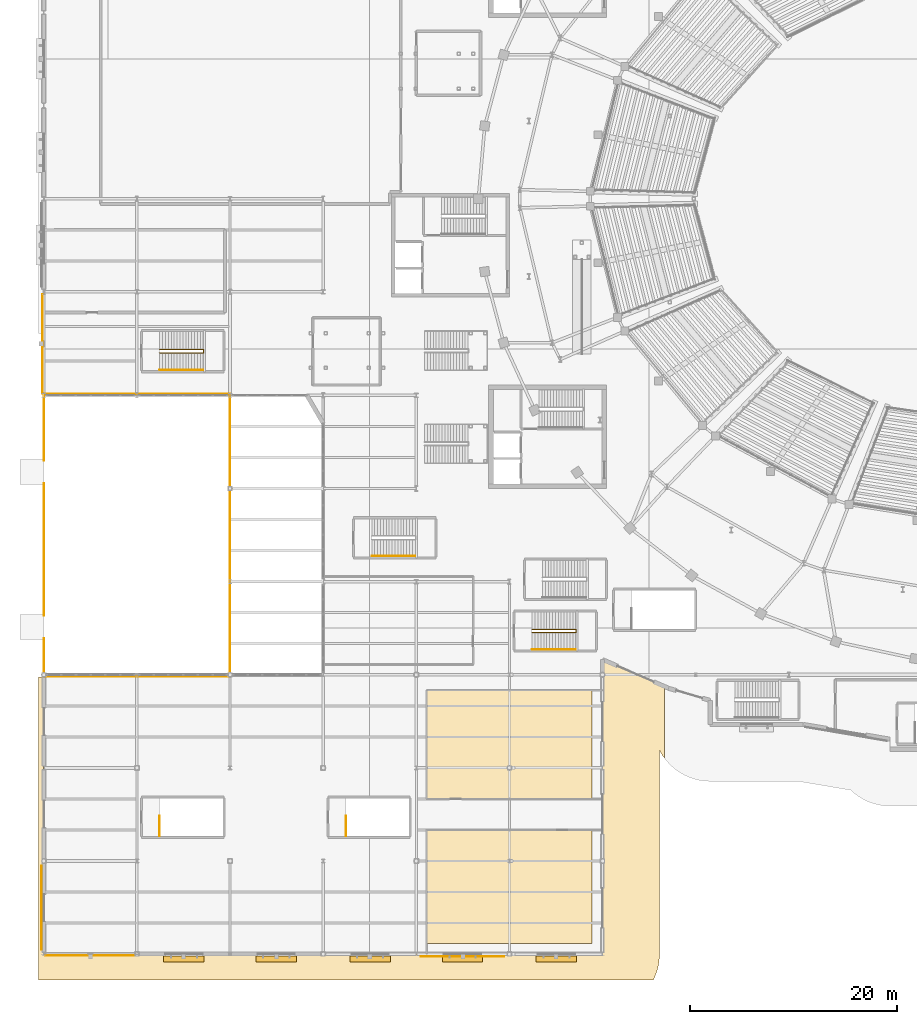
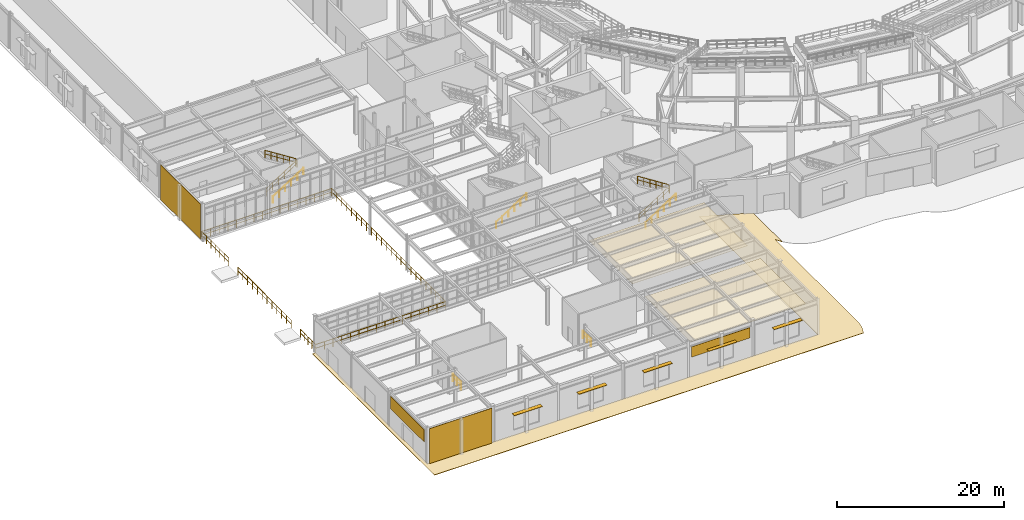
# One storey, part 70 of 79: 13 railings, 7 coverings, 5 shading devices.
"""IFC4 building model written with IfcOpenShell, lengths in metres."""

from ifc_helpers import new_model, si_unit, direction, frame, origin, origin_2d, place, context, subcontext, project, spatial, polyline, rectangle, circle, outline, extrude, material, layer, layer_set, type_object, element, save


model = new_model("IFC4")

# Units and contexts
model_context = context("Model", 3, precision=1e-05, world=origin(), true_north=direction((0.0, 1.0)))
body_context = subcontext(model_context, "Body", "Model", "MODEL_VIEW")
ifc_project = project(units=[si_unit("LENGTHUNIT", "METRE"), si_unit("AREAUNIT", "SQUARE_METRE"), si_unit("VOLUMEUNIT", "CUBIC_METRE"), si_unit("PLANEANGLEUNIT", "RADIAN"), si_unit("MASSUNIT", "GRAM", prefix="KILO")], contexts=[model_context])

# Site, building, storey
site_placement = place(None, origin())
site = spatial("IfcSite", under=ifc_project, at=site_placement, CompositionType="ELEMENT")
building_placement = place(site_placement, origin())
building = spatial("IfcBuilding", under=site, at=building_placement, Name="Glasvene Arena", CompositionType="ELEMENT")
storey_placement = place(building_placement, origin())
storey = spatial("IfcBuildingStorey", under=building, at=storey_placement, Name="L00", CompositionType="ELEMENT", Elevation=0.0)

# Coverings
ifc_material_1 = material(Name="Perforated acoustic mineral ceiling tile")
ifc_layer_1 = layer(ifc_material_1, 0.0400390625)
ifc_layer_set_1 = layer_set([ifc_layer_1], Name="Perforated acoustic mineral ceiling tile")
covering_type_1 = type_object("IfcCoveringType", Name="COV-CEIL-AC", PredefinedType="CEILING", material=ifc_layer_set_1)
covering_1_placement = place(storey_placement, frame((45.0, 6.5, 4.179931640625)))
element("IfcCovering", 1, at=covering_1_placement, inside=storey, type_object=covering_type_1, Name="Acoustic suspended ceiling Civic Ticketing Hall", PredefinedType="CEILING", context=body_context, shape_type="SweptSolid", body=[
    extrude(outline(polyline([(7.97998046875, 5.47998046875), (7.97998046875, -5.47998046875), (-7.97998046875, -5.47998046875), (-7.97998046875, 5.47998046875), (7.97998046875, 5.47998046875)])), origin(), (0.0, 0.0, 1.0), 0.0400390625),
])
covering_2_placement = place(storey_placement, frame((45.0, 20.25, 4.179931640625)))
element("IfcCovering", 2, at=covering_2_placement, inside=storey, type_object=covering_type_1, Name="Acoustic suspended ceiling Arena Venue Shop", PredefinedType="CEILING", context=body_context, shape_type="SweptSolid", body=[
    extrude(outline(polyline([(7.97998046875, 5.22998046875), (7.97998046875, -5.22998046875), (-7.97998046875, -5.22998046875), (-7.97998046875, 5.22998046875), (7.97998046875, 5.22998046875)])), origin(), (0.0, 0.0, 1.0), 0.0400390625),
])
ifc_material_2 = material(Name="Coursed pale Irish limestone", Category="masonry")
ifc_layer_2 = layer(ifc_material_2, 0.050048828125)
ifc_layer_set_2 = layer_set([ifc_layer_2], Name="Coursed pale Irish limestone")
covering_type_2 = type_object("IfcCoveringType", Name="COV-CLAD-LIM", PredefinedType="CLADDING", material=ifc_layer_set_2)
covering_3_placement = place(storey_placement, frame((-0.139892578125, 58.967041015625, 0.0), z_axis=(0.0, 0.0, 1.0), x_axis=(0.0, 1.0, 0.0)))
element("IfcCovering", 3, at=covering_3_placement, inside=storey, type_object=covering_type_2, Name="Braced bay architectural cladding screen L00-004", PredefinedType="CLADDING", context=body_context, shape_type="SweptSolid", body=[
    extrude(rectangle(XDim=9.601806640625, YDim=0.050048828125, at=origin_2d()), origin(), (0.0, 0.0, 1.0), 5.1201171875),
])
covering_4_placement = place(storey_placement, frame((40.462890625, -0.219970703125, 2.949951171875), z_axis=(0.0, 0.0, 1.0), x_axis=(-1.0, 0.0, 0.0)))
element("IfcCovering", 4, at=covering_4_placement, inside=storey, type_object=covering_type_2, Name="Irish limestone spandrel cladding EW-L00-0059", PredefinedType="CLADDING", context=body_context, shape_type="SweptSolid", body=[
    extrude(rectangle(XDim=8.11279296875, YDim=0.050048828125, at=origin_2d()), origin(), (0.0, 0.0, 1.0), 1.50732421875),
])
covering_5_placement = place(storey_placement, frame((4.462890625, -0.139892578125, 0.0), z_axis=(0.0, 0.0, 1.0), x_axis=(-1.0, 0.0, 0.0)))
element("IfcCovering", 5, at=covering_5_placement, inside=storey, type_object=covering_type_2, Name="Braced bay architectural cladding screen L00-074", PredefinedType="CLADDING", context=body_context, shape_type="SweptSolid", body=[
    extrude(rectangle(XDim=8.65283203125, YDim=0.050048828125, at=origin_2d()), origin(), (0.0, 0.0, 1.0), 5.1201171875),
])
covering_6_placement = place(storey_placement, frame((-0.219970703125, 4.4658203125, 2.949951171875), z_axis=(0.0, 0.0, 1.0), x_axis=(0.0, 1.0, 0.0)))
element("IfcCovering", 6, at=covering_6_placement, inside=storey, type_object=covering_type_2, Name="Irish limestone spandrel cladding EW-L00-0063", PredefinedType="CLADDING", context=body_context, shape_type="SweptSolid", body=[
    extrude(rectangle(XDim=8.107177734375, YDim=0.050048828125, at=origin_2d()), origin(), (0.0, 0.0, 1.0), 1.81494140625),
])
ifc_material_3 = material(Name="Irish silver-grey granite paving", Category="masonry")
ifc_layer_3 = layer(ifc_material_3, 0.06005859375)
ifc_layer_set_3 = layer_set([ifc_layer_3], Name="Irish silver-grey granite paving")
covering_type_3 = type_object("IfcCoveringType", Name="COV-PLAZA-GRAN", PredefinedType="FLOORING", material=ifc_layer_set_3)
covering_7_placement = place(storey_placement, frame((44.79248046875, 10.290771484375, -0.06005859375)))
element("IfcCovering", 7, at=covering_7_placement, inside=storey, type_object=covering_type_3, Name="Perimeter granite street plaza paving 01", PredefinedType="FLOORING", context=body_context, shape_type="SweptSolid", body=[
    extrude(outline(polyline([(15.034423828125, 8.853515625), (14.7568359375, 9.316650390625), (14.70751953125, 9.421142578125), (14.70751953125, -10.290771484375), (14.680908203125, -10.829833984375), (14.601806640625, -11.36376953125), (14.470703125, -11.887451171875), (14.288818359375, -12.3955078125), (14.101806640625, -12.790771484375), (-45.29248046875, -12.790771484375), (-45.29248046875, 16.50927734375), (-44.802490234375, 16.50927734375), (-44.802490234375, -10.290771484375), (9.20751953125, -10.30078125), (9.217529296875, 18.153564453125), (15.20751953125, 15.555908203125), (15.20751953125, 8.6201171875), (15.034423828125, 8.853515625)])), origin(), (0.0, 0.0, 1.0), 0.06005859375),
])

# Railings
ifc_material_4 = material(Name="Brushed stainless steel", Category="steel")
railing_type_1 = type_object("IfcRailingType", Name="RL-GUARD-1100", PredefinedType="GUARDRAIL", material=ifc_material_4)
railing_1_placement = place(storey_placement, frame((11.199951171875, 58.110107421875, 0.0)))
element("IfcRailing", 8, at=railing_1_placement, inside=storey, type_object=railing_type_1, Name="Stair inner well continuous guardrail ST-13-L00", PredefinedType="GUARDRAIL", context=body_context, shape_type="SweptSolid", body=[
    extrude(circle(Radius=0.02392578125, at=origin_2d()), frame((0.0, 0.0, 1.076171875), z_axis=(0.843501457581, 0.0, 0.537126885437), x_axis=(0.0, 1.0, 0.0)), (0.0, 0.0, 1.0), 5.026611328125),
    extrude(circle(Radius=0.01611328125, at=origin_2d()), frame((0.0, 0.0, 0.550048828125), z_axis=(0.843501457581, 0.0, 0.537126885437), x_axis=(0.0, 1.0, 0.0)), (0.0, 0.0, 1.0), 5.026611328125),
    extrude(circle(Radius=0.02392578125, at=origin_2d()), frame((4.239990234375, 0.0, 3.77587890625), z_axis=(0.0, 1.0, 0.0), x_axis=(-1.0, 0.0, 0.0)), (0.0, 0.0, 1.0), 0.329833984375),
    extrude(circle(Radius=0.01611328125, at=origin_2d()), frame((4.239990234375, 0.0, 3.25), z_axis=(0.0, 1.0, 0.0), x_axis=(-1.0, 0.0, 0.0)), (0.0, 0.0, 1.0), 0.329833984375),
    extrude(circle(Radius=0.02392578125, at=origin_2d()), frame((4.239990234375, 0.329833984375, 3.77587890625), z_axis=(-0.843501457581, 0.0, 0.537126885437), x_axis=(0.0, -1.0, 0.0)), (0.0, 0.0, 1.0), 5.026611328125),
    extrude(circle(Radius=0.01611328125, at=origin_2d()), frame((4.239990234375, 0.329833984375, 3.25), z_axis=(-0.843501457581, 0.0, 0.537126885437), x_axis=(0.0, -1.0, 0.0)), (0.0, 0.0, 1.0), 5.026611328125),
    extrude(circle(Radius=0.02099609375, at=origin_2d()), origin(), (0.0, 0.0, 1.0), 1.052001953125),
    extrude(circle(Radius=0.02099609375, at=origin_2d()), frame((0.847900390625, 0.0, 0.5400390625)), (0.0, 0.0, 1.0), 1.052001953125),
    extrude(circle(Radius=0.02099609375, at=origin_2d()), frame((1.696044921875, 0.0, 1.080078125)), (0.0, 0.0, 1.0), 1.052001953125),
    extrude(circle(Radius=0.02099609375, at=origin_2d()), frame((2.5439453125, 0.0, 1.619873046875)), (0.0, 0.0, 1.0), 1.052001953125),
    extrude(circle(Radius=0.02099609375, at=origin_2d()), frame((3.39208984375, 0.0, 2.159912109375)), (0.0, 0.0, 1.0), 1.052001953125),
    extrude(circle(Radius=0.02099609375, at=origin_2d()), frame((4.239990234375, 0.0, 2.699951171875)), (0.0, 0.0, 1.0), 1.052001953125),
    extrude(circle(Radius=0.02099609375, at=origin_2d()), frame((4.239990234375, 0.329833984375, 2.699951171875)), (0.0, 0.0, 1.0), 1.052001953125),
    extrude(circle(Radius=0.02099609375, at=origin_2d()), frame((3.39208984375, 0.329833984375, 3.239990234375)), (0.0, 0.0, 1.0), 1.052001953125),
    extrude(circle(Radius=0.02099609375, at=origin_2d()), frame((2.5439453125, 0.329833984375, 3.780029296875)), (0.0, 0.0, 1.0), 1.052001953125),
    extrude(circle(Radius=0.02099609375, at=origin_2d()), frame((1.696044921875, 0.329833984375, 4.31982421875)), (0.0, 0.0, 1.0), 1.052001953125),
    extrude(circle(Radius=0.02099609375, at=origin_2d()), frame((0.847900390625, 0.329833984375, 4.85986328125)), (0.0, 0.0, 1.0), 1.052001953125),
    extrude(circle(Radius=0.02099609375, at=origin_2d()), frame((0.0, 0.329833984375, 5.39990234375)), (0.0, 0.0, 1.0), 1.052001953125),
])
railing_2_placement = place(storey_placement, frame((47.199951171875, 31.06005859375, 0.0)))
element("IfcRailing", 9, at=railing_2_placement, inside=storey, type_object=railing_type_1, Name="Stair inner well continuous guardrail ST-16-L00", PredefinedType="GUARDRAIL", context=body_context, shape_type="SweptSolid", body=[
    extrude(circle(Radius=0.02392578125, at=origin_2d()), frame((0.0, 0.0, 1.076171875), z_axis=(0.843501457581, 0.0, 0.537126885437), x_axis=(0.0, 1.0, 0.0)), (0.0, 0.0, 1.0), 5.026611328125),
    extrude(circle(Radius=0.01611328125, at=origin_2d()), frame((0.0, 0.0, 0.550048828125), z_axis=(0.843501457581, 0.0, 0.537126885437), x_axis=(0.0, 1.0, 0.0)), (0.0, 0.0, 1.0), 5.026611328125),
    extrude(circle(Radius=0.02392578125, at=origin_2d()), frame((4.239990234375, 0.0, 3.77587890625), z_axis=(0.0, 1.0, 0.0), x_axis=(-1.0, 0.0, 0.0)), (0.0, 0.0, 1.0), 0.329833984375),
    extrude(circle(Radius=0.01611328125, at=origin_2d()), frame((4.239990234375, 0.0, 3.25), z_axis=(0.0, 1.0, 0.0), x_axis=(-1.0, 0.0, 0.0)), (0.0, 0.0, 1.0), 0.329833984375),
    extrude(circle(Radius=0.02392578125, at=origin_2d()), frame((4.239990234375, 0.329833984375, 3.77587890625), z_axis=(-0.843501457581, 0.0, 0.537126885437), x_axis=(0.0, -1.0, 0.0)), (0.0, 0.0, 1.0), 5.026611328125),
    extrude(circle(Radius=0.01611328125, at=origin_2d()), frame((4.239990234375, 0.329833984375, 3.25), z_axis=(-0.843501457581, 0.0, 0.537126885437), x_axis=(0.0, -1.0, 0.0)), (0.0, 0.0, 1.0), 5.026611328125),
    extrude(circle(Radius=0.02099609375, at=origin_2d()), origin(), (0.0, 0.0, 1.0), 1.052001953125),
    extrude(circle(Radius=0.02099609375, at=origin_2d()), frame((0.847900390625, 0.0, 0.5400390625)), (0.0, 0.0, 1.0), 1.052001953125),
    extrude(circle(Radius=0.02099609375, at=origin_2d()), frame((1.696044921875, 0.0, 1.080078125)), (0.0, 0.0, 1.0), 1.052001953125),
    extrude(circle(Radius=0.02099609375, at=origin_2d()), frame((2.5439453125, 0.0, 1.619873046875)), (0.0, 0.0, 1.0), 1.052001953125),
    extrude(circle(Radius=0.02099609375, at=origin_2d()), frame((3.39208984375, 0.0, 2.159912109375)), (0.0, 0.0, 1.0), 1.052001953125),
    extrude(circle(Radius=0.02099609375, at=origin_2d()), frame((4.239990234375, 0.0, 2.699951171875)), (0.0, 0.0, 1.0), 1.052001953125),
    extrude(circle(Radius=0.02099609375, at=origin_2d()), frame((4.239990234375, 0.329833984375, 2.699951171875)), (0.0, 0.0, 1.0), 1.052001953125),
    extrude(circle(Radius=0.02099609375, at=origin_2d()), frame((3.39208984375, 0.329833984375, 3.239990234375)), (0.0, 0.0, 1.0), 1.052001953125),
    extrude(circle(Radius=0.02099609375, at=origin_2d()), frame((2.5439453125, 0.329833984375, 3.780029296875)), (0.0, 0.0, 1.0), 1.052001953125),
    extrude(circle(Radius=0.02099609375, at=origin_2d()), frame((1.696044921875, 0.329833984375, 4.31982421875)), (0.0, 0.0, 1.0), 1.052001953125),
    extrude(circle(Radius=0.02099609375, at=origin_2d()), frame((0.847900390625, 0.329833984375, 4.85986328125)), (0.0, 0.0, 1.0), 1.052001953125),
    extrude(circle(Radius=0.02099609375, at=origin_2d()), frame((0.0, 0.329833984375, 5.39990234375)), (0.0, 0.0, 1.0), 1.052001953125),
])
for number, where, name in (
    (10, (11.199951171875, 11.39990234375, 0.0), "Stair top landing well guard ST-B02"),
    (11, (29.199951171875, 11.39990234375, 0.0), "Stair top landing well guard ST-B03"),
):
    element("IfcRailing", number, at=place(storey_placement, frame(where)), inside=storey, type_object=railing_type_1, Name=name, PredefinedType="GUARDRAIL", context=body_context, shape_type="SweptSolid", body=[
        extrude(circle(Radius=0.02392578125, at=origin_2d()), frame((0.0, 0.0, 1.076171875), z_axis=(0.0, 1.0, 0.0), x_axis=(-1.0, 0.0, 0.0)), (0.0, 0.0, 1.0), 1.9501953125),
        extrude(circle(Radius=0.01611328125, at=origin_2d()), frame((0.0, 0.0, 0.550048828125), z_axis=(0.0, 1.0, 0.0), x_axis=(-1.0, 0.0, 0.0)), (0.0, 0.0, 1.0), 1.9501953125),
        extrude(circle(Radius=0.02099609375, at=origin_2d()), origin(), (0.0, 0.0, 1.0), 1.052001953125),
        extrude(circle(Radius=0.02099609375, at=origin_2d()), frame((0.0, 0.97509765625, 0.0)), (0.0, 0.0, 1.0), 1.052001953125),
        extrude(circle(Radius=0.02099609375, at=origin_2d()), frame((0.0, 1.9501953125, 0.0)), (0.0, 0.0, 1.0), 1.052001953125),
    ])
ifc_material_5 = material(Name="Warm bronze architectural aluminium", Category="aluminium")
railing_type_2 = type_object("IfcRailingType", Name="RL-GUARD-EXT-1150", PredefinedType="GUARDRAIL", material=ifc_material_5)
railing_3_placement = place(storey_placement, frame((18.0, 26.85009765625, 0.0)))
element("IfcRailing", 12, at=railing_3_placement, inside=storey, type_object=railing_type_2, Name="Safety guardrail GD-MET-RIM-A-001", PredefinedType="GUARDRAIL", context=body_context, shape_type="SweptSolid", body=[
    extrude(circle(Radius=0.02392578125, at=origin_2d()), frame((0.0, 0.0, 1.1259765625), z_axis=(-1.0, 0.0, 0.0), x_axis=(0.0, -1.0, 0.0)), (0.0, 0.0, 1.0), 18.0),
    extrude(circle(Radius=0.01611328125, at=origin_2d()), frame((0.0, 0.0, 0.574951171875), z_axis=(-1.0, 0.0, 0.0), x_axis=(0.0, -1.0, 0.0)), (0.0, 0.0, 1.0), 18.0),
    extrude(circle(Radius=0.02099609375, at=origin_2d()), origin(), (0.0, 0.0, 1.0), 1.101806640625),
    extrude(circle(Radius=0.02099609375, at=origin_2d()), frame((-1.199951171875, 0.0, 0.0)), (0.0, 0.0, 1.0), 1.101806640625),
    extrude(circle(Radius=0.02099609375, at=origin_2d()), frame((-2.39990234375, 0.0, 0.0)), (0.0, 0.0, 1.0), 1.101806640625),
    extrude(circle(Radius=0.02099609375, at=origin_2d()), frame((-3.60009765625, 0.0, 0.0)), (0.0, 0.0, 1.0), 1.101806640625),
    extrude(circle(Radius=0.02099609375, at=origin_2d()), frame((-4.800048828125, 0.0, 0.0)), (0.0, 0.0, 1.0), 1.101806640625),
    extrude(circle(Radius=0.02099609375, at=origin_2d()), frame((-6.0, 0.0, 0.0)), (0.0, 0.0, 1.0), 1.101806640625),
    extrude(circle(Radius=0.02099609375, at=origin_2d()), frame((-7.199951171875, 0.0, 0.0)), (0.0, 0.0, 1.0), 1.101806640625),
    extrude(circle(Radius=0.02099609375, at=origin_2d()), frame((-8.39990234375, 0.0, 0.0)), (0.0, 0.0, 1.0), 1.101806640625),
    extrude(circle(Radius=0.02099609375, at=origin_2d()), frame((-9.60009765625, 0.0, 0.0)), (0.0, 0.0, 1.0), 1.101806640625),
    extrude(circle(Radius=0.02099609375, at=origin_2d()), frame((-10.800048828125, 0.0, 0.0)), (0.0, 0.0, 1.0), 1.101806640625),
    extrude(circle(Radius=0.02099609375, at=origin_2d()), frame((-12.0, 0.0, 0.0)), (0.0, 0.0, 1.0), 1.101806640625),
    extrude(circle(Radius=0.02099609375, at=origin_2d()), frame((-13.199951171875, 0.0, 0.0)), (0.0, 0.0, 1.0), 1.101806640625),
    extrude(circle(Radius=0.02099609375, at=origin_2d()), frame((-14.39990234375, 0.0, 0.0)), (0.0, 0.0, 1.0), 1.101806640625),
    extrude(circle(Radius=0.02099609375, at=origin_2d()), frame((-15.60009765625, 0.0, 0.0)), (0.0, 0.0, 1.0), 1.101806640625),
    extrude(circle(Radius=0.02099609375, at=origin_2d()), frame((-16.800048828125, 0.0, 0.0)), (0.0, 0.0, 1.0), 1.101806640625),
    extrude(circle(Radius=0.02099609375, at=origin_2d()), frame((-18.0, 0.0, 0.0)), (0.0, 0.0, 1.0), 1.101806640625),
])
railing_4_placement = place(storey_placement, frame((0.0, 26.85009765625, 0.0)))
element("IfcRailing", 13, at=railing_4_placement, inside=storey, type_object=railing_type_2, Name="Safety guardrail GD-MET-RIM-A-002", PredefinedType="GUARDRAIL", context=body_context, shape_type="SweptSolid", body=[
    extrude(circle(Radius=0.02392578125, at=origin_2d()), frame((0.0, 0.0, 1.1259765625), z_axis=(0.0, 1.0, 0.0), x_axis=(-1.0, 0.0, 0.0)), (0.0, 0.0, 1.0), 3.64990234375),
    extrude(circle(Radius=0.01611328125, at=origin_2d()), frame((0.0, 0.0, 0.574951171875), z_axis=(0.0, 1.0, 0.0), x_axis=(-1.0, 0.0, 0.0)), (0.0, 0.0, 1.0), 3.64990234375),
    extrude(circle(Radius=0.02099609375, at=origin_2d()), origin(), (0.0, 0.0, 1.0), 1.101806640625),
    extrude(circle(Radius=0.02099609375, at=origin_2d()), frame((0.0, 0.91259765625, 0.0)), (0.0, 0.0, 1.0), 1.101806640625),
    extrude(circle(Radius=0.02099609375, at=origin_2d()), frame((0.0, 1.824951171875, 0.0)), (0.0, 0.0, 1.0), 1.101806640625),
    extrude(circle(Radius=0.02099609375, at=origin_2d()), frame((0.0, 2.7373046875, 0.0)), (0.0, 0.0, 1.0), 1.101806640625),
    extrude(circle(Radius=0.02099609375, at=origin_2d()), frame((0.0, 3.64990234375, 0.0)), (0.0, 0.0, 1.0), 1.101806640625),
])
railing_5_placement = place(storey_placement, frame((0.0, 32.699951171875, 0.0)))
element("IfcRailing", 14, at=railing_5_placement, inside=storey, type_object=railing_type_2, Name="Safety guardrail GD-MET-RIM-B-001", PredefinedType="GUARDRAIL", context=body_context, shape_type="SweptSolid", body=[
    extrude(circle(Radius=0.02392578125, at=origin_2d()), frame((0.0, 0.0, 1.1259765625), z_axis=(0.0, 1.0, 0.0), x_axis=(-1.0, 0.0, 0.0)), (0.0, 0.0, 1.0), 12.800048828125),
    extrude(circle(Radius=0.01611328125, at=origin_2d()), frame((0.0, 0.0, 0.574951171875), z_axis=(0.0, 1.0, 0.0), x_axis=(-1.0, 0.0, 0.0)), (0.0, 0.0, 1.0), 12.800048828125),
    extrude(circle(Radius=0.02099609375, at=origin_2d()), origin(), (0.0, 0.0, 1.0), 1.101806640625),
    extrude(circle(Radius=0.02099609375, at=origin_2d()), frame((0.0, 1.16357421875, 0.0)), (0.0, 0.0, 1.0), 1.101806640625),
    extrude(circle(Radius=0.02099609375, at=origin_2d()), frame((0.0, 2.327392578125, 0.0)), (0.0, 0.0, 1.0), 1.101806640625),
    extrude(circle(Radius=0.02099609375, at=origin_2d()), frame((0.0, 3.490966796875, 0.0)), (0.0, 0.0, 1.0), 1.101806640625),
    extrude(circle(Radius=0.02099609375, at=origin_2d()), frame((0.0, 4.654541015625, 0.0)), (0.0, 0.0, 1.0), 1.101806640625),
    extrude(circle(Radius=0.02099609375, at=origin_2d()), frame((0.0, 5.818115234375, 0.0)), (0.0, 0.0, 1.0), 1.101806640625),
    extrude(circle(Radius=0.02099609375, at=origin_2d()), frame((0.0, 6.98193359375, 0.0)), (0.0, 0.0, 1.0), 1.101806640625),
    extrude(circle(Radius=0.02099609375, at=origin_2d()), frame((0.0, 8.1455078125, 0.0)), (0.0, 0.0, 1.0), 1.101806640625),
    extrude(circle(Radius=0.02099609375, at=origin_2d()), frame((0.0, 9.30908203125, 0.0)), (0.0, 0.0, 1.0), 1.101806640625),
    extrude(circle(Radius=0.02099609375, at=origin_2d()), frame((0.0, 10.47265625, 0.0)), (0.0, 0.0, 1.0), 1.101806640625),
    extrude(circle(Radius=0.02099609375, at=origin_2d()), frame((0.0, 11.636474609375, 0.0)), (0.0, 0.0, 1.0), 1.101806640625),
    extrude(circle(Radius=0.02099609375, at=origin_2d()), frame((0.0, 12.800048828125, 0.0)), (0.0, 0.0, 1.0), 1.101806640625),
])
railing_6_placement = place(storey_placement, frame((0.0, 47.699951171875, 0.0)))
element("IfcRailing", 15, at=railing_6_placement, inside=storey, type_object=railing_type_2, Name="Safety guardrail GD-MET-RIM-C-001", PredefinedType="GUARDRAIL", context=body_context, shape_type="SweptSolid", body=[
    extrude(circle(Radius=0.02392578125, at=origin_2d()), frame((0.0, 0.0, 1.1259765625), z_axis=(0.0, 1.0, 0.0), x_axis=(-1.0, 0.0, 0.0)), (0.0, 0.0, 1.0), 6.449951171875),
    extrude(circle(Radius=0.01611328125, at=origin_2d()), frame((0.0, 0.0, 0.574951171875), z_axis=(0.0, 1.0, 0.0), x_axis=(-1.0, 0.0, 0.0)), (0.0, 0.0, 1.0), 6.449951171875),
    extrude(circle(Radius=0.02099609375, at=origin_2d()), origin(), (0.0, 0.0, 1.0), 1.101806640625),
    extrude(circle(Radius=0.02099609375, at=origin_2d()), frame((0.0, 1.074951171875, 0.0)), (0.0, 0.0, 1.0), 1.101806640625),
    extrude(circle(Radius=0.02099609375, at=origin_2d()), frame((0.0, 2.14990234375, 0.0)), (0.0, 0.0, 1.0), 1.101806640625),
    extrude(circle(Radius=0.02099609375, at=origin_2d()), frame((0.0, 3.22509765625, 0.0)), (0.0, 0.0, 1.0), 1.101806640625),
    extrude(circle(Radius=0.02099609375, at=origin_2d()), frame((0.0, 4.300048828125, 0.0)), (0.0, 0.0, 1.0), 1.101806640625),
    extrude(circle(Radius=0.02099609375, at=origin_2d()), frame((0.0, 5.375, 0.0)), (0.0, 0.0, 1.0), 1.101806640625),
    extrude(circle(Radius=0.02099609375, at=origin_2d()), frame((0.0, 6.449951171875, 0.0)), (0.0, 0.0, 1.0), 1.101806640625),
])
railing_7_placement = place(storey_placement, frame((0.0, 54.14990234375, 0.0)))
element("IfcRailing", 16, at=railing_7_placement, inside=storey, type_object=railing_type_2, Name="Safety guardrail GD-MET-RIM-C-002", PredefinedType="GUARDRAIL", context=body_context, shape_type="SweptSolid", body=[
    extrude(circle(Radius=0.02392578125, at=origin_2d()), frame((0.0, 0.0, 1.1259765625), z_axis=(1.0, 0.0, 0.0), x_axis=(0.0, 1.0, 0.0)), (0.0, 0.0, 1.0), 18.0),
    extrude(circle(Radius=0.01611328125, at=origin_2d()), frame((0.0, 0.0, 0.574951171875), z_axis=(1.0, 0.0, 0.0), x_axis=(0.0, 1.0, 0.0)), (0.0, 0.0, 1.0), 18.0),
    extrude(circle(Radius=0.02099609375, at=origin_2d()), origin(), (0.0, 0.0, 1.0), 1.101806640625),
    extrude(circle(Radius=0.02099609375, at=origin_2d()), frame((1.199951171875, 0.0, 0.0)), (0.0, 0.0, 1.0), 1.101806640625),
    extrude(circle(Radius=0.02099609375, at=origin_2d()), frame((2.39990234375, 0.0, 0.0)), (0.0, 0.0, 1.0), 1.101806640625),
    extrude(circle(Radius=0.02099609375, at=origin_2d()), frame((3.60009765625, 0.0, 0.0)), (0.0, 0.0, 1.0), 1.101806640625),
    extrude(circle(Radius=0.02099609375, at=origin_2d()), frame((4.800048828125, 0.0, 0.0)), (0.0, 0.0, 1.0), 1.101806640625),
    extrude(circle(Radius=0.02099609375, at=origin_2d()), frame((6.0, 0.0, 0.0)), (0.0, 0.0, 1.0), 1.101806640625),
    extrude(circle(Radius=0.02099609375, at=origin_2d()), frame((7.199951171875, 0.0, 0.0)), (0.0, 0.0, 1.0), 1.101806640625),
    extrude(circle(Radius=0.02099609375, at=origin_2d()), frame((8.39990234375, 0.0, 0.0)), (0.0, 0.0, 1.0), 1.101806640625),
    extrude(circle(Radius=0.02099609375, at=origin_2d()), frame((9.60009765625, 0.0, 0.0)), (0.0, 0.0, 1.0), 1.101806640625),
    extrude(circle(Radius=0.02099609375, at=origin_2d()), frame((10.800048828125, 0.0, 0.0)), (0.0, 0.0, 1.0), 1.101806640625),
    extrude(circle(Radius=0.02099609375, at=origin_2d()), frame((12.0, 0.0, 0.0)), (0.0, 0.0, 1.0), 1.101806640625),
    extrude(circle(Radius=0.02099609375, at=origin_2d()), frame((13.199951171875, 0.0, 0.0)), (0.0, 0.0, 1.0), 1.101806640625),
    extrude(circle(Radius=0.02099609375, at=origin_2d()), frame((14.39990234375, 0.0, 0.0)), (0.0, 0.0, 1.0), 1.101806640625),
    extrude(circle(Radius=0.02099609375, at=origin_2d()), frame((15.60009765625, 0.0, 0.0)), (0.0, 0.0, 1.0), 1.101806640625),
    extrude(circle(Radius=0.02099609375, at=origin_2d()), frame((16.800048828125, 0.0, 0.0)), (0.0, 0.0, 1.0), 1.101806640625),
    extrude(circle(Radius=0.02099609375, at=origin_2d()), frame((18.0, 0.0, 0.0)), (0.0, 0.0, 1.0), 1.101806640625),
])
railing_8_placement = place(storey_placement, frame((18.0, 54.14990234375, 0.0)))
element("IfcRailing", 17, at=railing_8_placement, inside=storey, type_object=railing_type_2, Name="Safety guardrail GD-MET-RIM-C-003", PredefinedType="GUARDRAIL", context=body_context, shape_type="SweptSolid", body=[
    extrude(circle(Radius=0.02392578125, at=origin_2d()), frame((0.0, 0.0, 1.1259765625), z_axis=(0.0, -1.0, 0.0), x_axis=(1.0, 0.0, 0.0)), (0.0, 0.0, 1.0), 27.2998046875),
    extrude(circle(Radius=0.01611328125, at=origin_2d()), frame((0.0, 0.0, 0.574951171875), z_axis=(0.0, -1.0, 0.0), x_axis=(1.0, 0.0, 0.0)), (0.0, 0.0, 1.0), 27.2998046875),
    extrude(circle(Radius=0.02099609375, at=origin_2d()), origin(), (0.0, 0.0, 1.0), 1.101806640625),
    extrude(circle(Radius=0.02099609375, at=origin_2d()), frame((0.0, -1.18701171875, 0.0)), (0.0, 0.0, 1.0), 1.101806640625),
    extrude(circle(Radius=0.02099609375, at=origin_2d()), frame((0.0, -2.373779296875, 0.0)), (0.0, 0.0, 1.0), 1.101806640625),
    extrude(circle(Radius=0.02099609375, at=origin_2d()), frame((0.0, -3.560791015625, 0.0)), (0.0, 0.0, 1.0), 1.101806640625),
    extrude(circle(Radius=0.02099609375, at=origin_2d()), frame((0.0, -4.747802734375, 0.0)), (0.0, 0.0, 1.0), 1.101806640625),
    extrude(circle(Radius=0.02099609375, at=origin_2d()), frame((0.0, -5.934814453125, 0.0)), (0.0, 0.0, 1.0), 1.101806640625),
    extrude(circle(Radius=0.02099609375, at=origin_2d()), frame((0.0, -7.12158203125, 0.0)), (0.0, 0.0, 1.0), 1.101806640625),
    extrude(circle(Radius=0.02099609375, at=origin_2d()), frame((0.0, -8.30859375, 0.0)), (0.0, 0.0, 1.0), 1.101806640625),
    extrude(circle(Radius=0.02099609375, at=origin_2d()), frame((0.0, -9.49560546875, 0.0)), (0.0, 0.0, 1.0), 1.101806640625),
    extrude(circle(Radius=0.02099609375, at=origin_2d()), frame((0.0, -10.6826171875, 0.0)), (0.0, 0.0, 1.0), 1.101806640625),
    extrude(circle(Radius=0.02099609375, at=origin_2d()), frame((0.0, -11.869384765625, 0.0)), (0.0, 0.0, 1.0), 1.101806640625),
    extrude(circle(Radius=0.02099609375, at=origin_2d()), frame((0.0, -13.056396484375, 0.0)), (0.0, 0.0, 1.0), 1.101806640625),
    extrude(circle(Radius=0.02099609375, at=origin_2d()), frame((0.0, -14.243408203125, 0.0)), (0.0, 0.0, 1.0), 1.101806640625),
    extrude(circle(Radius=0.02099609375, at=origin_2d()), frame((0.0, -15.430419921875, 0.0)), (0.0, 0.0, 1.0), 1.101806640625),
    extrude(circle(Radius=0.02099609375, at=origin_2d()), frame((0.0, -16.6171875, 0.0)), (0.0, 0.0, 1.0), 1.101806640625),
    extrude(circle(Radius=0.02099609375, at=origin_2d()), frame((0.0, -17.80419921875, 0.0)), (0.0, 0.0, 1.0), 1.101806640625),
    extrude(circle(Radius=0.02099609375, at=origin_2d()), frame((0.0, -18.9912109375, 0.0)), (0.0, 0.0, 1.0), 1.101806640625),
    extrude(circle(Radius=0.02099609375, at=origin_2d()), frame((0.0, -20.17822265625, 0.0)), (0.0, 0.0, 1.0), 1.101806640625),
    extrude(circle(Radius=0.02099609375, at=origin_2d()), frame((0.0, -21.364990234375, 0.0)), (0.0, 0.0, 1.0), 1.101806640625),
    extrude(circle(Radius=0.02099609375, at=origin_2d()), frame((0.0, -22.552001953125, 0.0)), (0.0, 0.0, 1.0), 1.101806640625),
    extrude(circle(Radius=0.02099609375, at=origin_2d()), frame((0.0, -23.739013671875, 0.0)), (0.0, 0.0, 1.0), 1.101806640625),
    extrude(circle(Radius=0.02099609375, at=origin_2d()), frame((0.0, -24.926025390625, 0.0)), (0.0, 0.0, 1.0), 1.101806640625),
    extrude(circle(Radius=0.02099609375, at=origin_2d()), frame((0.0, -26.11279296875, 0.0)), (0.0, 0.0, 1.0), 1.101806640625),
    extrude(circle(Radius=0.02099609375, at=origin_2d()), frame((0.0, -27.2998046875, 0.0)), (0.0, 0.0, 1.0), 1.101806640625),
])
railing_type_3 = type_object("IfcRailingType", Name="RL-HAND-950", PredefinedType="HANDRAIL", material=ifc_material_4)
for number, where, name in (
    (18, (11.199951171875, 56.4599609375, 0.0), "Stair wall handrail ST-13-L00"),
    (19, (31.699951171875, 38.4599609375, 0.0), "Stair wall handrail ST-15-L00"),
    (20, (47.199951171875, 29.4599609375, 0.0), "Stair wall handrail ST-16-L00"),
):
    element("IfcRailing", number, at=place(storey_placement, frame(where)), inside=storey, type_object=railing_type_3, Name=name, PredefinedType="HANDRAIL", context=body_context, shape_type="SweptSolid", body=[
        extrude(circle(Radius=0.02392578125, at=origin_2d()), frame((0.0, 0.0, 0.92578125), z_axis=(0.841180064094, 0.0, 0.540755119968), x_axis=(0.0, 1.0, 0.0)), (0.0, 0.0, 1.0), 4.992919921875),
        extrude(circle(Radius=0.02099609375, at=origin_2d()), origin(), (0.0, 0.0, 1.0), 0.90185546875),
        extrude(circle(Radius=0.02099609375, at=origin_2d()), frame((0.840087890625, 0.0, 0.5400390625)), (0.0, 0.0, 1.0), 0.90185546875),
        extrude(circle(Radius=0.02099609375, at=origin_2d()), frame((1.679931640625, 0.0, 1.080078125)), (0.0, 0.0, 1.0), 0.90185546875),
        extrude(circle(Radius=0.02099609375, at=origin_2d()), frame((2.52001953125, 0.0, 1.619873046875)), (0.0, 0.0, 1.0), 0.90185546875),
        extrude(circle(Radius=0.02099609375, at=origin_2d()), frame((3.35986328125, 0.0, 2.159912109375)), (0.0, 0.0, 1.0), 0.90185546875),
        extrude(circle(Radius=0.02099609375, at=origin_2d()), frame((4.199951171875, 0.0, 2.699951171875)), (0.0, 0.0, 1.0), 0.90185546875),
    ])

# Shading devices
ifc_layer_4 = layer(ifc_material_5, 0.06005859375)
ifc_layer_set_4 = layer_set([ifc_layer_4], Name="Warm bronze architectural aluminium")
shading_device_type = type_object("IfcShadingDeviceType", Name="SHD-BRONZE-FIN", PredefinedType="USERDEFINED", material=ifc_layer_set_4)
for number, where, z_axis, x_axis, name in (
    (21, (49.537109375, -0.465087890625, 3.320068359375), (0.0, 0.0, 1.0), (-1.0, 0.0, 0.0), "Warm bronze brise-soleil fin BS-010"),
    (22, (40.462890625, -0.465087890625, 3.320068359375), (0.0, 0.0, 1.0), (-1.0, 0.0, 0.0), "Warm bronze brise-soleil fin BS-011"),
    (23, (31.537109375, -0.465087890625, 3.320068359375), (0.0, 0.0, 1.0), (-1.0, 0.0, 0.0), "Warm bronze brise-soleil fin BS-012"),
    (24, (22.463134765625, -0.465087890625, 3.320068359375), (0.0, 0.0, 1.0), (-1.0, 0.0, 0.0), "Warm bronze brise-soleil fin BS-013"),
    (25, (13.536865234375, -0.465087890625, 3.320068359375), (0.0, 0.0, 1.0), (-1.0, 0.0, 0.0), "Warm bronze brise-soleil fin BS-014"),
):
    element("IfcShadingDevice", number, at=place(storey_placement, frame(where, z_axis=z_axis, x_axis=x_axis)), inside=storey, type_object=shading_device_type, Name=name, ObjectType="BRISE SOLEIL", PredefinedType="USERDEFINED", context=body_context, shape_type="SweptSolid", body=[
        extrude(rectangle(XDim=3.89990234375, YDim=0.550048828125, at=origin_2d()), origin(), (0.0, 0.0, 1.0), 0.06005859375),
    ])

save(model, "model.ifc")
